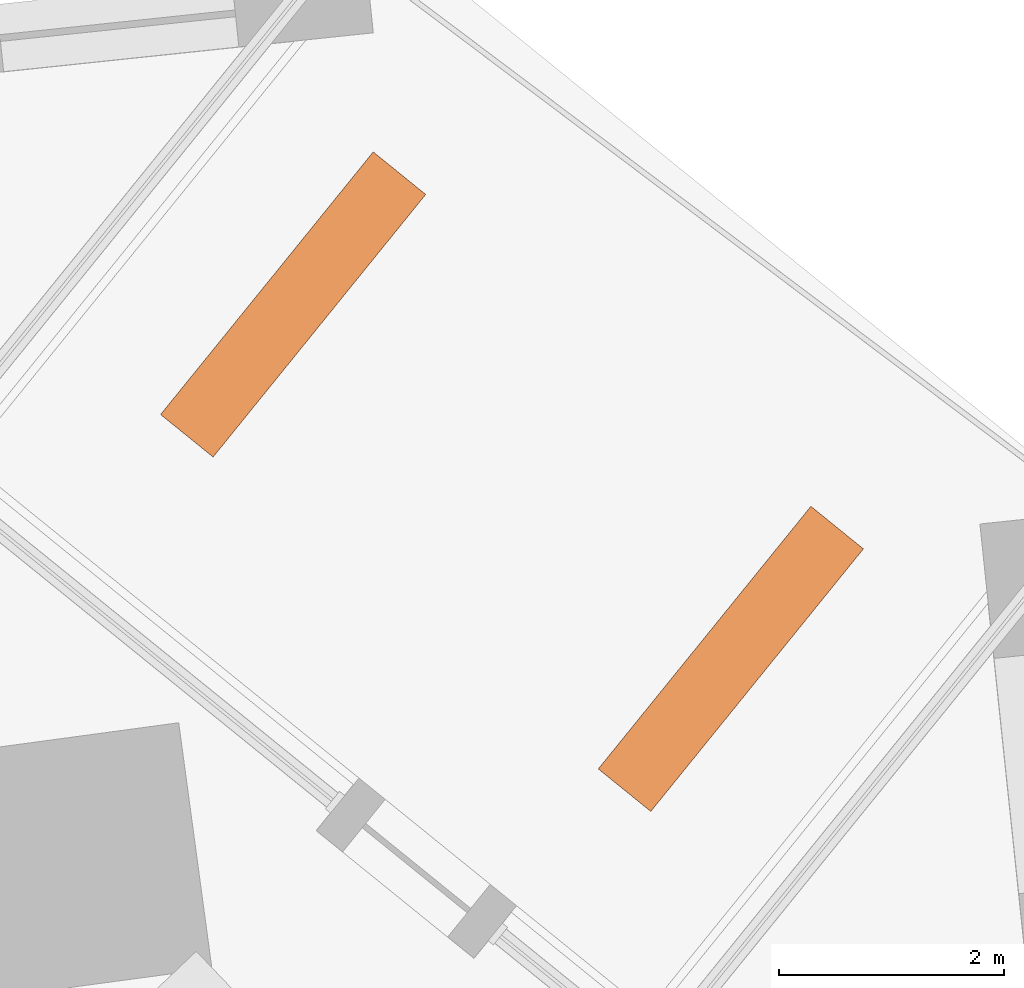
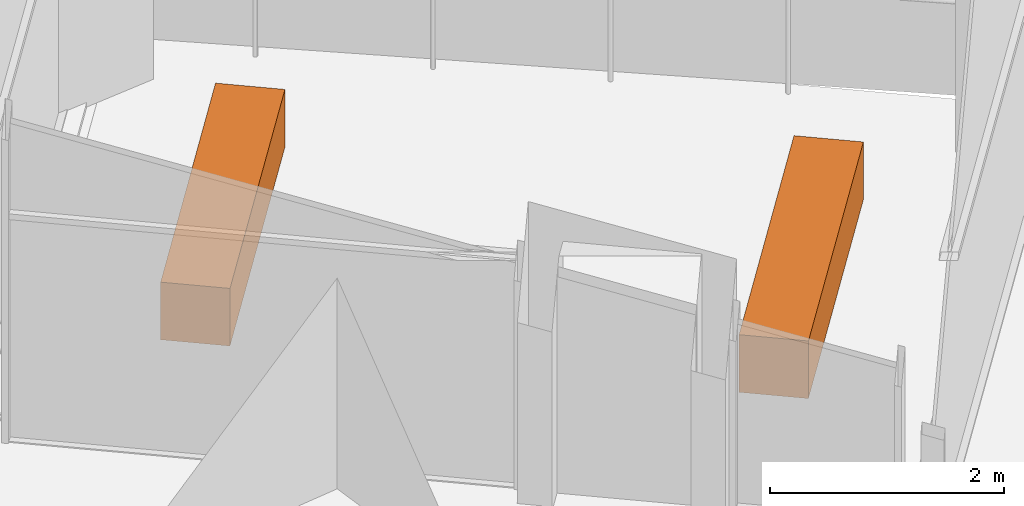
# One storey, part 10 of 10: 2 proxies.
"""IFC4 building model written with IfcOpenShell, lengths in metres."""

from ifc_helpers import new_model, si_unit, direction, frame, origin, origin_2d, place, context, subcontext, project, spatial, rectangle, extrude, element, save


model = new_model("IFC4")

# Units and contexts
model_context = context("Model", 3, precision=1e-05, world=origin(), true_north=direction((0.0, 1.0)))
body_context = subcontext(model_context, "Body", "Model", "MODEL_VIEW")
ifc_project = project(units=[si_unit("LENGTHUNIT", "METRE"), si_unit("AREAUNIT", "SQUARE_METRE"), si_unit("VOLUMEUNIT", "CUBIC_METRE"), si_unit("PLANEANGLEUNIT", "RADIAN"), si_unit("MASSUNIT", "GRAM", prefix="KILO")], contexts=[model_context])

# Site, building, storey
site_placement = place(None, origin())
site = spatial("IfcSite", under=ifc_project, at=site_placement, CompositionType="ELEMENT")
building_placement = place(site_placement, origin())
building = spatial("IfcBuilding", under=site, at=building_placement, Name="Dilmun Exchange Tower", CompositionType="ELEMENT")
storey_placement = place(building_placement, frame((0.0, 0.0, 46.5)))
storey = spatial("IfcBuildingStorey", under=building, at=storey_placement, Name="L10", CompositionType="ELEMENT", Elevation=46.5)

# Proxies
for number, where, z_axis, x_axis, name in (
    (1, (24.466796875, 26.241455078125, 0.0), (0.0, 0.0, 1.0), (0.62932039105, 0.777145961457, 0.0), "PLANTER Date palm L10.1"),
    (2, (20.5810546875, 29.387939453125, 0.0), (0.0, 0.0, 1.0), (0.62932039105, 0.777145961457, 0.0), "PLANTER Date palm L10.2"),
):
    element("IfcBuildingElementProxy", number, at=place(storey_placement, frame(where, z_axis=z_axis, x_axis=x_axis)), inside=storey, Name=name, ObjectType="PLANTER", PredefinedType="USERDEFINED", context=body_context, shape_type="SweptSolid", body=[
        extrude(rectangle(XDim=3.0, YDim=0.60009765625, at=origin_2d()), origin(), (0.0, 0.0, 1.0), 0.60009765625),
    ])

save(model, "model.ifc")
